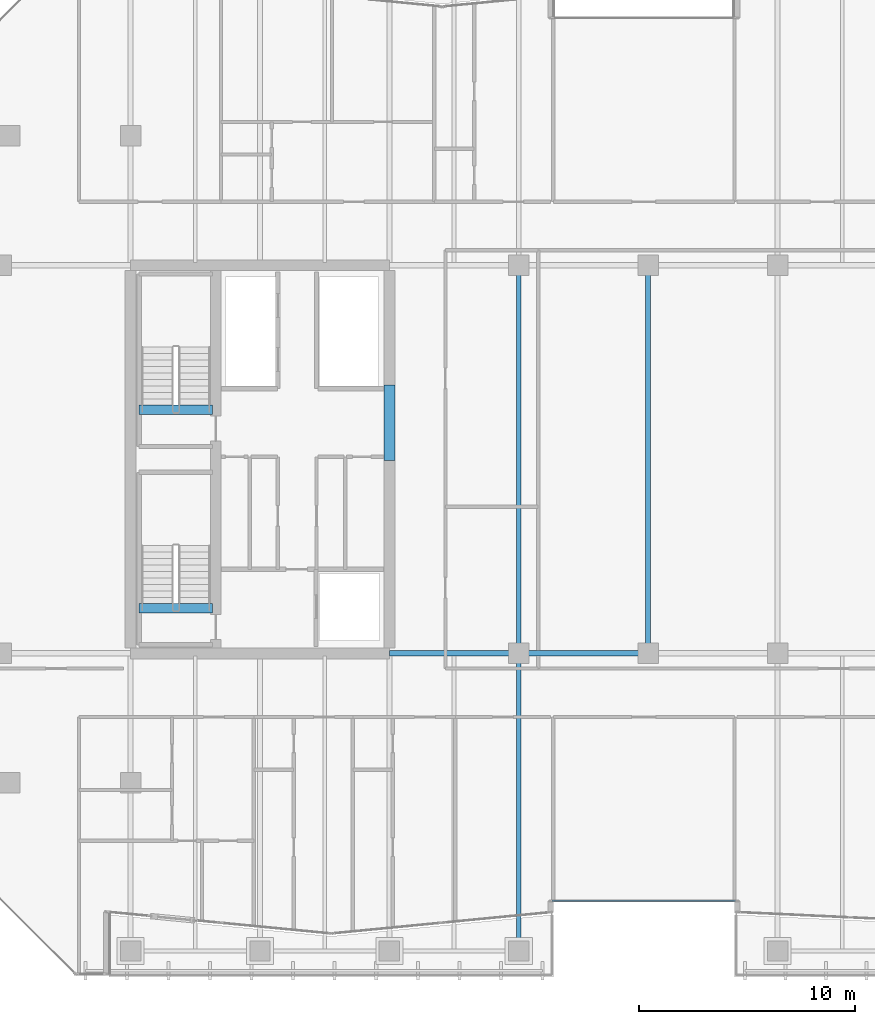
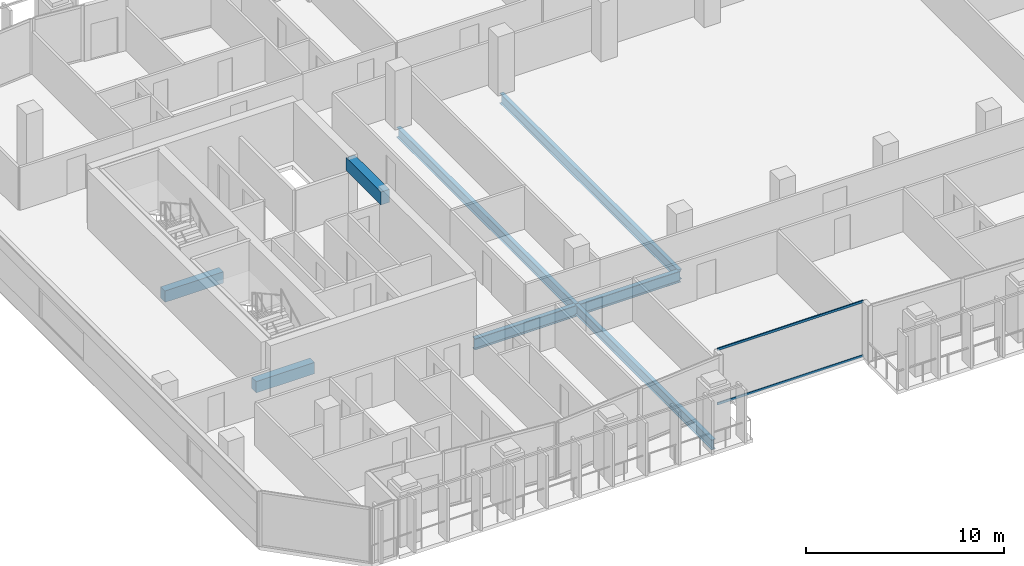
# One storey, part 6 of 39: 8 beams, 2 members, 1 element without a shape of its own.
"""IFC4 building model written with IfcOpenShell, lengths in metres."""

from ifc_helpers import new_model, si_unit, direction, frame, origin, origin_2d, place, context, subcontext, project, spatial, rectangle, hollow_rectangle, i_section, extrude, material, layer, layer_set, material_profile, profile_set, type_object, element, aggregate, save


model = new_model("IFC4")

# Units and contexts
model_context = context("Model", 3, precision=1e-05, world=origin(), true_north=direction((0.0, 1.0)))
body_context = subcontext(model_context, "Body", "Model", "MODEL_VIEW")
ifc_project = project(units=[si_unit("LENGTHUNIT", "METRE"), si_unit("AREAUNIT", "SQUARE_METRE"), si_unit("VOLUMEUNIT", "CUBIC_METRE"), si_unit("PLANEANGLEUNIT", "RADIAN"), si_unit("MASSUNIT", "GRAM", prefix="KILO")], contexts=[model_context])

# Site, building, storey
site_placement = place(None, origin())
site = spatial("IfcSite", under=ifc_project, at=site_placement, CompositionType="ELEMENT")
building_placement = place(site_placement, origin())
building = spatial("IfcBuilding", under=site, at=building_placement, Name="Tanjung Sevakor Pilgrim Tower", CompositionType="ELEMENT")
storey_placement = place(building_placement, frame((0.0, 0.0, 108.570068359375)))
storey = spatial("IfcBuildingStorey", under=building, at=storey_placement, Name="L30", CompositionType="ELEMENT", Elevation=108.570068359375)

# Beams
ifc_material_1 = material(Name="Steel S355J2", Category="steel")
ifc_material_profile_1 = material_profile(ifc_material_1, i_section(OverallWidth=0.25439453125, OverallDepth=0.6875, WebThickness=0.01318359375, FlangeThickness=0.02099609375, FilletRadius=0.01513671875, at=origin_2d()))
ifc_profile_set_1 = profile_set([ifc_material_profile_1], Name="Steel S355J2")
beam_type_1 = type_object("IfcBeamType", Name="BM-B-G2-UB_686x254x152", PredefinedType="BEAM", material=ifc_profile_set_1)
for number, where, z_axis, x_axis, name in (
    (1, (36.0, 24.60009765625, -0.56396484375), (1.0, 0.0, 0.0), (0.0, 1.0, 0.0), "L30 Primary Floor Girder MAIN Y246-02"),
    (2, (42.0, 24.60009765625, -0.56396484375), (1.0, 0.0, 0.0), (0.0, 1.0, 0.0), "L30 Primary Floor Girder MAIN Y246-03"),
):
    element("IfcBeam", number, at=place(storey_placement, frame(where, z_axis=z_axis, x_axis=x_axis)), inside=storey, type_object=beam_type_1, Name=name, PredefinedType="BEAM", context=body_context, shape_type="SweptSolid", body=[
        extrude(i_section(OverallWidth=0.25439453125, OverallDepth=0.6875, WebThickness=0.01318359375, FlangeThickness=0.02099609375, FilletRadius=0.01513671875, at=origin_2d()), origin(), (0.0, 0.0, 1.0), 6.0),
    ])
ifc_material_2 = material(Name="Steel S355J2", Category="steel")
ifc_material_profile_2 = material_profile(ifc_material_2, i_section(OverallWidth=0.230224609375, OverallDepth=0.6171875, WebThickness=0.01318359375, FlangeThickness=0.022216796875, FilletRadius=0.0126953125, at=origin_2d()))
ifc_profile_set_2 = profile_set([ifc_material_profile_2], Name="Steel S355J2")
beam_type_2 = type_object("IfcBeamType", Name="BM-B-G3-UB_610x229x140", PredefinedType="BEAM", material=ifc_profile_set_2)
beam_1_placement = place(storey_placement, frame((42.0, 10.800048828125, -0.528564453125), z_axis=(0.0, 1.0, 0.0), x_axis=(-1.0, 0.0, 0.0)))
element("IfcBeam", 3, at=beam_1_placement, inside=storey, type_object=beam_type_2, Name="L30 MAIN Girder 013", PredefinedType="BEAM", context=body_context, shape_type="SweptSolid", body=[
    extrude(i_section(OverallWidth=0.230224609375, OverallDepth=0.6171875, WebThickness=0.01318359375, FlangeThickness=0.022216796875, FilletRadius=0.0126953125, at=origin_2d()), origin(), (0.0, 0.0, 1.0), 13.800048828125),
])
for number, where, z_axis, x_axis, name in (
    (4, (42.0, 24.60009765625, -0.528564453125), (0.0, 1.0, 0.0), (-1.0, 0.0, 0.0), "L30 MAIN Girder 014"),
    (5, (48.0, 24.60009765625, -0.528564453125), (0.0, 1.0, 0.0), (-1.0, 0.0, 0.0), "L30 MAIN Girder 016"),
):
    element("IfcBeam", number, at=place(storey_placement, frame(where, z_axis=z_axis, x_axis=x_axis)), inside=storey, type_object=beam_type_2, Name=name, PredefinedType="BEAM", context=body_context, shape_type="SweptSolid", body=[
        extrude(i_section(OverallWidth=0.230224609375, OverallDepth=0.6171875, WebThickness=0.01318359375, FlangeThickness=0.022216796875, FilletRadius=0.0126953125, at=origin_2d()), origin(), (0.0, 0.0, 1.0), 18.0),
    ])
ifc_material_3 = material(Name="Concrete C60/75", Category="concrete")
ifc_material_profile_3 = material_profile(ifc_material_3, rectangle(XDim=0.5, YDim=0.800048828125, at=origin_2d()))
ifc_profile_set_3 = profile_set([ifc_material_profile_3], Name="Concrete C60/75")
beam_type_3 = type_object("IfcBeamType", Name="BM-B-LN2-RC-BM_500x800", PredefinedType="LINTEL", material=ifc_profile_set_3)
beam_2_placement = place(storey_placement, frame((36.0, 33.550048828125, 3.010009765625), z_axis=(0.0, 1.0, 0.0), x_axis=(-1.0, 0.0, 0.0)))
element("IfcBeam", 6, at=beam_2_placement, inside=storey, type_object=beam_type_3, Name="L30 W Core Coupling Lintel", PredefinedType="LINTEL", context=body_context, shape_type="SweptSolid", body=[
    extrude(rectangle(XDim=0.5, YDim=0.800048828125, at=origin_2d()), origin(), (0.0, 0.0, 1.0), 3.5),
])
ifc_material_4 = material(Name="Concrete C60/75", Category="concrete")
ifc_material_profile_4 = material_profile(ifc_material_4, rectangle(XDim=0.449951171875, YDim=0.699951171875, at=origin_2d()))
ifc_profile_set_4 = profile_set([ifc_material_profile_4], Name="Concrete C60/75")
beam_type_4 = type_object("IfcBeamType", Name="BM-B-LN3-RC-BM_450x700", PredefinedType="LINTEL", material=ifc_profile_set_4)
for number, where, z_axis, x_axis, name in (
    (7, (24.39990234375, 26.699951171875, -0.35009765625), (1.0, 0.0, 0.0), (0.0, 1.0, 0.0), "L30 TS-W1 Stair Threshold Beam"),
    (8, (24.39990234375, 35.89990234375, -0.35009765625), (1.0, 0.0, 0.0), (0.0, 1.0, 0.0), "L30 TS-W2 Stair Threshold Beam"),
):
    element("IfcBeam", number, at=place(storey_placement, frame(where, z_axis=z_axis, x_axis=x_axis)), inside=storey, type_object=beam_type_4, Name=name, PredefinedType="LINTEL", context=body_context, shape_type="SweptSolid", body=[
        extrude(rectangle(XDim=0.449951171875, YDim=0.699951171875, at=origin_2d()), origin(), (0.0, 0.0, 1.0), 3.400146484375),
    ])

# Curtain wall, members
ifc_material_5 = material(Name="Aluminium 6063-T6 and Low-E Glass", Category="aluminium")
ifc_layer = layer(ifc_material_5, 0.179931640625)
ifc_layer_set = layer_set([ifc_layer], Name="CW-SYS-CLEFT")
curtain_wall_type = type_object("IfcCurtainWallType", Name="CW-SYS-CLEFT", PredefinedType="NOTDEFINED", material=ifc_layer_set)
curtain_wall_placement = place(storey_placement, origin())
curtain_wall = element("IfcCurtainWall", 9, at=curtain_wall_placement, inside=storey, type_object=curtain_wall_type, Name="L30 Curtain Wall CW-CLF-L30-7", PredefinedType="NOTDEFINED")
ifc_material_6 = material(Name="Aluminium 6063-T6", Category="aluminium")
ifc_material_profile_5 = material_profile(ifc_material_6, hollow_rectangle(XDim=0.06494140625, YDim=0.139892578125, WallThickness=0.00390625, at=origin_2d()))
ifc_profile_set_5 = profile_set([ifc_material_profile_5], Name="Aluminium 6063-T6")
member_type = type_object("IfcMemberType", Name="TYPE-CWT-1", PredefinedType="USERDEFINED", material=ifc_profile_set_5)
member_1_placement = place(storey_placement, frame((43.550048828125, 13.125, 0.032470703125), z_axis=(1.0, 0.0, 0.0), x_axis=(0.0, 1.0, 0.0)))
member_1 = element("IfcMember", 10, at=member_1_placement, type_object=member_type, Name="CW-CLF transom 1.1", ObjectType="TRANSOM", PredefinedType="USERDEFINED", context=body_context, shape_type="SweptSolid", body=[
    extrude(hollow_rectangle(XDim=0.06494140625, YDim=0.139892578125, WallThickness=0.00390625, at=origin_2d()), origin(), (0.0, 0.0, 1.0), 8.5),
])
member_2_placement = place(storey_placement, frame((43.550048828125, 13.125, 3.37744140625), z_axis=(1.0, 0.0, 0.0), x_axis=(0.0, 1.0, 0.0)))
member_2 = element("IfcMember", 11, at=member_2_placement, type_object=member_type, Name="CW-CLF transom 1.2", ObjectType="TRANSOM", PredefinedType="USERDEFINED", context=body_context, shape_type="SweptSolid", body=[
    extrude(hollow_rectangle(XDim=0.06494140625, YDim=0.139892578125, WallThickness=0.00390625, at=origin_2d()), origin(), (0.0, 0.0, 1.0), 8.5),
])
aggregate(curtain_wall, [member_1, member_2])

save(model, "model.ifc")
